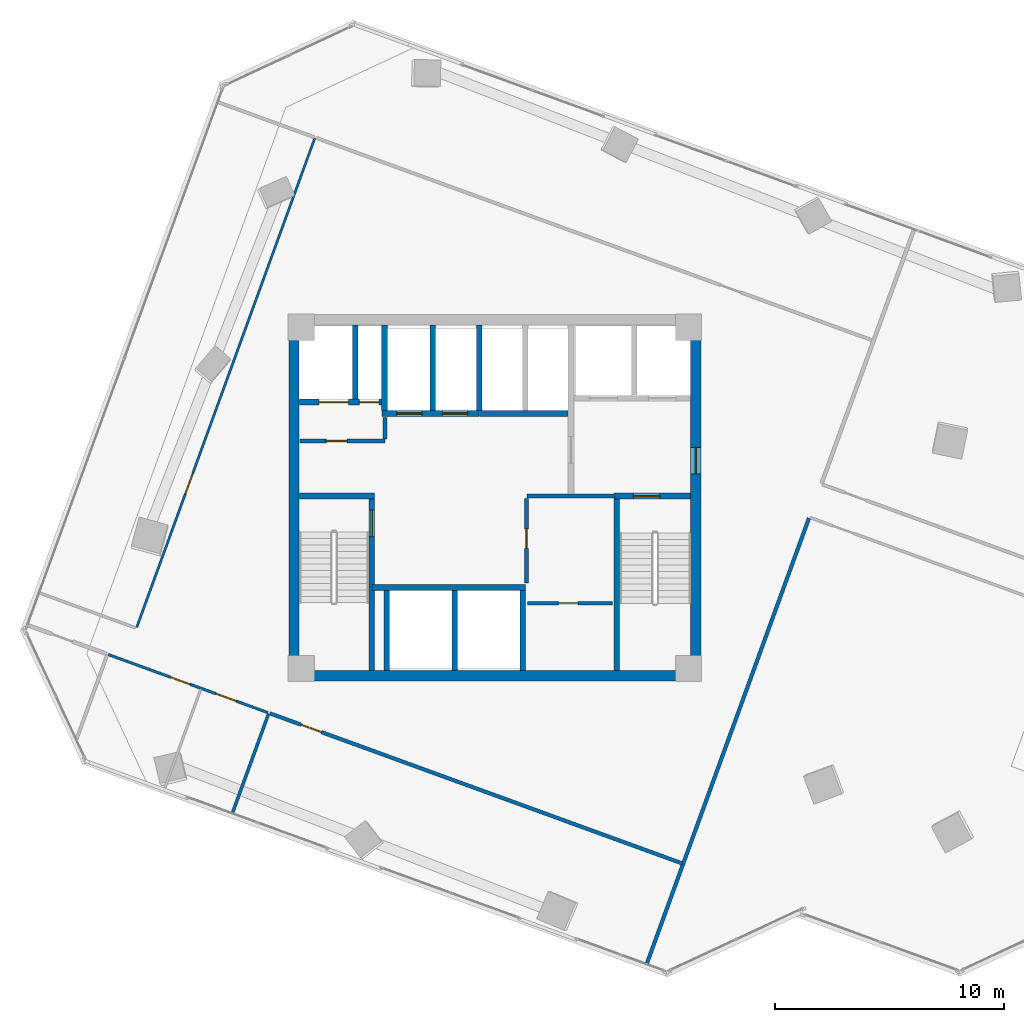
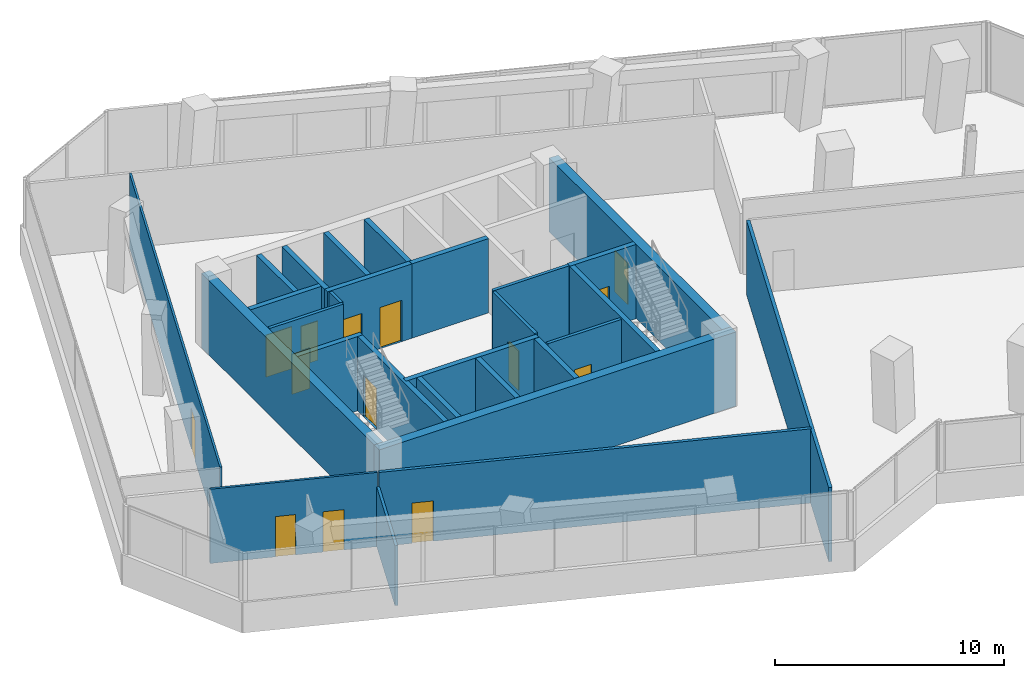
# One storey, part 16 of 21: 28 walls, 14 doors, 14 openings.
"""IFC4 building model written with IfcOpenShell, lengths in metres."""

from ifc_helpers import new_model, si_unit, direction, frame, frame_2d, origin, place, context, subcontext, project, spatial, rectangle, extrude, source, transform, mapped, material, layer, layer_set, type_object, element, fill, save


model = new_model("IFC4")

# Units and contexts
model_context = context("Model", 3, precision=1e-05, world=origin(), true_north=direction((0.0, 1.0)))
body_context = subcontext(model_context, "Body", "Model", "MODEL_VIEW")
ifc_project = project(units=[si_unit("LENGTHUNIT", "METRE"), si_unit("AREAUNIT", "SQUARE_METRE"), si_unit("VOLUMEUNIT", "CUBIC_METRE"), si_unit("PLANEANGLEUNIT", "RADIAN"), si_unit("MASSUNIT", "GRAM", prefix="KILO")], contexts=[model_context])

# Site, building, storey
site_placement = place(None, origin())
site = spatial("IfcSite", under=ifc_project, at=site_placement, CompositionType="ELEMENT")
building_placement = place(site_placement, origin())
building = spatial("IfcBuilding", under=site, at=building_placement, Name="Torre Montelarca", CompositionType="ELEMENT")
storey_placement = place(building_placement, frame((0.0, 0.0, 133.0)))
storey = spatial("IfcBuildingStorey", under=building, at=storey_placement, Name="L29", CompositionType="ELEMENT", Elevation=133.0)

# Wall, opening, door
ifc_material_1 = material(Name="Concrete C40/50", Category="concrete")
ifc_layer_1 = layer(ifc_material_1, 0.25, Name="Concrete C40/50", Category="concrete")
ifc_layer_set_1 = layer_set([ifc_layer_1], Name="Concrete C40/50")
wall_type_1 = type_object("IfcWallType", Name="CW-SHAFT-250", PredefinedType="SHEAR", material=ifc_layer_set_1)
wall_1_placement = place(storey_placement, frame((12.625, 24.4599609375, 0.0), z_axis=(0.0, 0.0, 1.0), x_axis=(0.0, 1.0, 0.0)))
wall_1 = element("IfcWall", 1, at=wall_1_placement, inside=storey, type_object=wall_type_1, Name="L29 Core Shear Wall SH-ST1-E", PredefinedType="SHEAR", context=body_context, shape_type="SweptSolid", body=[
    extrude(rectangle(XDim=7.489990234375, YDim=0.25, at=frame_2d((3.7451171875, 0.0))), origin(), (0.0, 0.0, 1.0), 3.9599609375),
])
opening_1_placement = place(wall_1_placement, frame((5.85009765625, 0.0, 0.0)))
opening_1 = element("IfcOpeningElement", 2, at=opening_1_placement, cuts=wall_1, Name="Opening FD-ST1", PredefinedType="OPENING", context=body_context, shape_type="SweptSolid", body=[
    extrude(rectangle(XDim=1.14990234375, YDim=2.199951171875, at=frame_2d((0.574951171875, 1.10009765625))), frame((0.0, 0.135009765625, 0.0), z_axis=(0.0, -1.0, 0.0), x_axis=(1.0, 0.0, 0.0)), (0.0, 0.0, 1.0), 0.27001953125),
])
ifc_material_2 = material(Name="Galvanized steel fire door", Category="steel")
door_type_1 = type_object("IfcDoorType", Name="DR-STAIR-115", OperationType="NOTDEFINED", PredefinedType="DOOR", material=ifc_material_2)
shared_shape_1 = source(origin(), body_context, "Body", "SweptSolid", [
    extrude(rectangle(XDim=1.14990234375, YDim=2.199951171875, at=frame_2d((0.574951171875, 1.10009765625))), frame((0.0, 0.02490234375, 0.0), z_axis=(0.0, -1.0, 0.0), x_axis=(1.0, 0.0, 0.0)), (0.0, 0.0, 1.0), 0.050048828125),
])
door_1_placement = place(opening_1_placement, origin())
door_1 = element("IfcDoor", 3, at=door_1_placement, inside=storey, type_object=door_type_1, Name="L29 Exit Stair ST1 Fire Door", OperationType="SINGLE_SWING_RIGHT", OverallHeight=2.199951171875, OverallWidth=1.14990234375, PredefinedType="DOOR", context=body_context, shape_type="MappedRepresentation", body=[
    mapped(shared_shape_1, transform((0.0, 0.0, 0.0), scale=1.0)),
])
fill(opening_1, door_1)

# Walls
wall_2_placement = place(storey_placement, frame((9.4599609375, 32.074951171875, 0.0), z_axis=(0.0, 0.0, 1.0), x_axis=(1.0, 0.0, 0.0)))
element("IfcWall", 4, at=wall_2_placement, inside=storey, type_object=wall_type_1, Name="L29 Core Shear Wall SH-ST1-N", PredefinedType="SHEAR", context=body_context, shape_type="SweptSolid", body=[
    extrude(rectangle(XDim=3.2900390625, YDim=0.25, at=frame_2d((1.64501953125, 0.0))), origin(), (0.0, 0.0, 1.0), 3.9599609375),
])
wall_3_placement = place(storey_placement, frame((23.31494140625, 24.4599609375, 0.0), z_axis=(0.0, 0.0, 1.0), x_axis=(0.0, 1.0, 0.0)))
element("IfcWall", 5, at=wall_3_placement, inside=storey, type_object=wall_type_1, Name="L29 Core Shear Wall SH-ST2-W", PredefinedType="SHEAR", context=body_context, shape_type="SweptSolid", body=[
    extrude(rectangle(XDim=7.489990234375, YDim=0.25, at=frame_2d((3.7451171875, 0.0))), origin(), (0.0, 0.0, 1.0), 3.9599609375),
])

# Wall, opening, door
wall_4_placement = place(storey_placement, frame((23.18994140625, 32.074951171875, 0.0), z_axis=(0.0, 0.0, 1.0), x_axis=(1.0, 0.0, 0.0)))
wall_4 = element("IfcWall", 6, at=wall_4_placement, inside=storey, type_object=wall_type_1, Name="L29 Core Shear Wall SH-ST2-N", PredefinedType="SHEAR", context=body_context, shape_type="SweptSolid", body=[
    extrude(rectangle(XDim=3.35009765625, YDim=0.25, at=frame_2d((1.675048828125, 0.0))), origin(), (0.0, 0.0, 1.0), 3.9599609375),
])
opening_2_placement = place(wall_4_placement, frame((0.85009765625, 0.0, 0.0)))
opening_2 = element("IfcOpeningElement", 7, at=opening_2_placement, cuts=wall_4, Name="Opening FD-ST1", PredefinedType="OPENING", context=body_context, shape_type="SweptSolid", body=[
    extrude(rectangle(XDim=1.14990234375, YDim=2.199951171875, at=frame_2d((0.574951171875, 1.10009765625))), frame((0.0, 0.135009765625, 0.0), z_axis=(0.0, -1.0, 0.0), x_axis=(1.0, 0.0, 0.0)), (0.0, 0.0, 1.0), 0.27001953125),
])
door_2_placement = place(opening_2_placement, origin())
door_2 = element("IfcDoor", 8, at=door_2_placement, inside=storey, type_object=door_type_1, Name="L29 Exit Stair ST2 Fire Door", OperationType="SINGLE_SWING_RIGHT", OverallHeight=2.199951171875, OverallWidth=1.14990234375, PredefinedType="DOOR", context=body_context, shape_type="MappedRepresentation", body=[
    mapped(shared_shape_1, transform((0.0, 0.0, 0.0), scale=1.0)),
])
fill(opening_2, door_2)

# Wall, openings, doors
wall_5_placement = place(storey_placement, frame((9.4599609375, 36.179931640625, 0.0), z_axis=(0.0, 0.0, 1.0), x_axis=(1.0, 0.0, 0.0)))
wall_5 = element("IfcWall", 9, at=wall_5_placement, inside=storey, type_object=wall_type_1, Name="L29 Core Shear Wall SH-SV1-S", PredefinedType="SHEAR", context=body_context, shape_type="SweptSolid", body=[
    extrude(rectangle(XDim=3.7900390625, YDim=0.25, at=frame_2d((1.89501953125, 0.0))), origin(), (0.0, 0.0, 1.0), 3.9599609375),
])
opening_3_placement = place(wall_5_placement, frame((2.6201171875, 0.0, 0.0)))
opening_3 = element("IfcOpeningElement", 10, at=opening_3_placement, cuts=wall_5, Name="Opening FD-085", PredefinedType="OPENING", context=body_context, shape_type="SweptSolid", body=[
    extrude(rectangle(XDim=0.85009765625, YDim=2.10009765625, at=frame_2d((0.425048828125, 1.050048828125))), frame((0.0, 0.135009765625, 0.0), z_axis=(0.0, -1.0, 0.0), x_axis=(1.0, 0.0, 0.0)), (0.0, 0.0, 1.0), 0.27001953125),
])
opening_4_placement = place(wall_5_placement, frame((0.85009765625, 0.0, 0.0)))
opening_4 = element("IfcOpeningElement", 11, at=opening_4_placement, cuts=wall_5, Name="Opening LD-130", PredefinedType="OPENING", context=body_context, shape_type="SweptSolid", body=[
    extrude(rectangle(XDim=1.300048828125, YDim=2.25, at=frame_2d((0.64990234375, 1.125))), frame((0.0, 0.135009765625, 0.0), z_axis=(0.0, -1.0, 0.0), x_axis=(1.0, 0.0, 0.0)), (0.0, 0.0, 1.0), 0.27001953125),
])
ifc_material_3 = material(Name="Steel riser access fire door", Category="steel")
door_type_2 = type_object("IfcDoorType", Name="DR-RISER-085", OperationType="NOTDEFINED", PredefinedType="DOOR", material=ifc_material_3)
shared_shape_2 = source(origin(), body_context, "Body", "SweptSolid", [
    extrude(rectangle(XDim=0.85009765625, YDim=2.10009765625, at=frame_2d((0.425048828125, 1.050048828125))), frame((0.0, 0.02490234375, 0.0), z_axis=(0.0, -1.0, 0.0), x_axis=(1.0, 0.0, 0.0)), (0.0, 0.0, 1.0), 0.050048828125),
])
door_3_placement = place(opening_3_placement, origin())
door_3 = element("IfcDoor", 12, at=door_3_placement, inside=storey, type_object=door_type_2, Name="L29 Electrical Riser Shaft Access Door", OperationType="SINGLE_SWING_RIGHT", OverallHeight=2.10009765625, OverallWidth=0.85009765625, PredefinedType="DOOR", context=body_context, shape_type="MappedRepresentation", body=[
    mapped(shared_shape_2, transform((0.0, 0.0, 0.0), scale=1.0)),
])
fill(opening_3, door_3)
ifc_material_4 = material(Name="Brushed stainless steel AISI 316", Category="steel")
door_type_3 = type_object("IfcDoorType", Name="DR-LIFT-130", OperationType="SLIDING_TO_LEFT", PredefinedType="DOOR", material=ifc_material_4)
shared_shape_3 = source(origin(), body_context, "Body", "SweptSolid", [
    extrude(rectangle(XDim=1.300048828125, YDim=2.25, at=frame_2d((0.64990234375, 1.125))), frame((0.0, 0.02490234375, 0.0), z_axis=(0.0, -1.0, 0.0), x_axis=(1.0, 0.0, 0.0)), (0.0, 0.0, 1.0), 0.050048828125),
])
door_4_placement = place(opening_4_placement, origin())
door_4 = element("IfcDoor", 13, at=door_4_placement, inside=storey, type_object=door_type_3, Name="L29 Lift Landing Sliding Door SV-1", OperationType="SLIDING_TO_LEFT", OverallHeight=2.25, OverallWidth=1.300048828125, PredefinedType="DOOR", context=body_context, shape_type="MappedRepresentation", body=[
    mapped(shared_shape_3, transform((0.0, 0.0, 0.0), scale=1.0)),
])
fill(opening_4, door_4)

# Walls
wall_6_placement = place(storey_placement, frame((11.89990234375, 36.31005859375, 0.0), z_axis=(0.0, 0.0, 1.0), x_axis=(0.0, 1.0, 0.0)))
element("IfcWall", 14, at=wall_6_placement, inside=storey, type_object=wall_type_1, Name="L29 Core Shear Wall SH-SV1-E", PredefinedType="SHEAR", context=body_context, shape_type="SweptSolid", body=[
    extrude(rectangle(XDim=3.22998046875, YDim=0.25, at=frame_2d((1.614990234375, 0.0))), origin(), (0.0, 0.0, 1.0), 3.9599609375),
])
wall_7_placement = place(storey_placement, frame((12.6298828125, 28.080078125, 0.0), z_axis=(0.0, 0.0, 1.0), x_axis=(1.0, 0.0, 0.0)))
element("IfcWall", 15, at=wall_7_placement, inside=storey, type_object=wall_type_1, Name="L29 Core Shear Wall SH-PLL-N", PredefinedType="SHEAR", context=body_context, shape_type="SweptSolid", body=[
    extrude(rectangle(XDim=6.710205078125, YDim=0.25, at=frame_2d((3.35498046875, 0.0))), origin(), (0.0, 0.0, 1.0), 3.9599609375),
])
for number, where, z_axis, x_axis, name in (
    (16, (13.280029296875, 24.4599609375, 0.0), (0.0, 0.0, 1.0), (0.0, 1.0, 0.0), "L29 Core Shear Wall SH-PLL-W"),
    (17, (16.25, 24.4599609375, 0.0), (0.0, 0.0, 1.0), (0.0, 1.0, 0.0), "L29 Core Shear Wall SH-PLL-M"),
    (18, (19.219970703125, 24.4599609375, 0.0), (0.0, 0.0, 1.0), (0.0, 1.0, 0.0), "L29 Core Shear Wall SH-PLL-E"),
):
    element("IfcWall", number, at=place(storey_placement, frame(where, z_axis=z_axis, x_axis=x_axis)), inside=storey, type_object=wall_type_1, Name=name, PredefinedType="SHEAR", context=body_context, shape_type="SweptSolid", body=[
        extrude(rectangle(XDim=3.489990234375, YDim=0.25, at=frame_2d((1.7451171875, 0.0))), origin(), (0.0, 0.0, 1.0), 3.9599609375),
    ])

# Wall, openings, doors
wall_8_placement = place(storey_placement, frame((13.06005859375, 35.679931640625, 0.0), z_axis=(0.0, 0.0, 1.0), x_axis=(1.0, 0.0, 0.0)))
wall_8 = element("IfcWall", 19, at=wall_8_placement, inside=storey, type_object=wall_type_1, Name="L29 Core Shear Wall SH-PLM-S", PredefinedType="SHEAR", context=body_context, shape_type="SweptSolid", body=[
    extrude(rectangle(XDim=4.25, YDim=0.25, at=frame_2d((2.125, 0.0))), origin(), (0.0, 0.0, 1.0), 3.9599609375),
])
opening_5_placement = place(wall_8_placement, frame((0.64990234375, 0.0, 0.0)))
opening_5 = element("IfcOpeningElement", 20, at=opening_5_placement, cuts=wall_8, Name="Opening LD-110", PredefinedType="OPENING", context=body_context, shape_type="SweptSolid", body=[
    extrude(rectangle(XDim=1.10009765625, YDim=2.199951171875, at=frame_2d((0.550048828125, 1.10009765625))), frame((0.0, 0.135009765625, 0.0), z_axis=(0.0, -1.0, 0.0), x_axis=(1.0, 0.0, 0.0)), (0.0, 0.0, 1.0), 0.27001953125),
])
opening_6_placement = place(wall_8_placement, frame((2.64990234375, 0.0, 0.0)))
opening_6 = element("IfcOpeningElement", 21, at=opening_6_placement, cuts=wall_8, Name="Opening LD-110", PredefinedType="OPENING", context=body_context, shape_type="SweptSolid", body=[
    extrude(rectangle(XDim=1.10009765625, YDim=2.199951171875, at=frame_2d((0.550048828125, 1.10009765625))), frame((0.0, 0.135009765625, 0.0), z_axis=(0.0, -1.0, 0.0), x_axis=(1.0, 0.0, 0.0)), (0.0, 0.0, 1.0), 0.27001953125),
])
door_type_4 = type_object("IfcDoorType", Name="DR-LIFT-110", OperationType="SLIDING_TO_LEFT", PredefinedType="DOOR", material=ifc_material_4)
shared_shape_4 = source(origin(), body_context, "Body", "SweptSolid", [
    extrude(rectangle(XDim=1.10009765625, YDim=2.199951171875, at=frame_2d((0.550048828125, 1.10009765625))), frame((0.0, 0.02490234375, 0.0), z_axis=(0.0, -1.0, 0.0), x_axis=(1.0, 0.0, 0.0)), (0.0, 0.0, 1.0), 0.050048828125),
])
door_5_placement = place(opening_5_placement, origin())
door_5 = element("IfcDoor", 22, at=door_5_placement, inside=storey, type_object=door_type_4, Name="L29 Lift Landing Sliding Door PL-M1", OperationType="SLIDING_TO_LEFT", OverallHeight=2.199951171875, OverallWidth=1.10009765625, PredefinedType="DOOR", context=body_context, shape_type="MappedRepresentation", body=[
    mapped(shared_shape_4, transform((0.0, 0.0, 0.0), scale=1.0)),
])
fill(opening_5, door_5)
door_6_placement = place(opening_6_placement, origin())
door_6 = element("IfcDoor", 23, at=door_6_placement, inside=storey, type_object=door_type_4, Name="L29 Lift Landing Sliding Door PL-M2", OperationType="SLIDING_TO_RIGHT", OverallHeight=2.199951171875, OverallWidth=1.10009765625, PredefinedType="DOOR", context=body_context, shape_type="MappedRepresentation", body=[
    mapped(shared_shape_4, transform((0.0, 0.0, 0.0), scale=1.0)),
])
fill(opening_6, door_6)

# Walls
for number, where, z_axis, x_axis, name in (
    (24, (13.179931640625, 35.81005859375, 0.0), (0.0, 0.0, 1.0), (0.0, 1.0, 0.0), "L29 Core Shear Wall SH-PLM-W"),
    (25, (15.280029296875, 35.81005859375, 0.0), (0.0, 0.0, 1.0), (0.0, 1.0, 0.0), "L29 Core Shear Wall SH-PLM-M"),
):
    element("IfcWall", number, at=place(storey_placement, frame(where, z_axis=z_axis, x_axis=x_axis)), inside=storey, type_object=wall_type_1, Name=name, PredefinedType="SHEAR", context=body_context, shape_type="SweptSolid", body=[
        extrude(rectangle(XDim=3.72998046875, YDim=0.25, at=frame_2d((1.864990234375, 0.0))), origin(), (0.0, 0.0, 1.0), 3.9599609375),
    ])
wall_9_placement = place(storey_placement, frame((17.320068359375, 35.679931640625, 0.0), z_axis=(0.0, 0.0, 1.0), x_axis=(1.0, 0.0, 0.0)))
element("IfcWall", 26, at=wall_9_placement, inside=storey, type_object=wall_type_1, Name="L29 Core Shear Wall SH-PLH-S", PredefinedType="SHEAR", context=body_context, shape_type="SweptSolid", body=[
    extrude(rectangle(XDim=3.869873046875, YDim=0.25, at=frame_2d((1.93505859375, 0.0))), origin(), (0.0, 0.0, 1.0), 3.9599609375),
])
wall_10_placement = place(storey_placement, frame((17.320068359375, 35.81005859375, 0.0), z_axis=(0.0, 0.0, 1.0), x_axis=(0.0, 1.0, 0.0)))
element("IfcWall", 27, at=wall_10_placement, inside=storey, type_object=wall_type_1, Name="L29 Core Shear Wall SH-PLH-W", PredefinedType="SHEAR", context=body_context, shape_type="SweptSolid", body=[
    extrude(rectangle(XDim=3.72998046875, YDim=0.25, at=frame_2d((1.864990234375, 0.0))), origin(), (0.0, 0.0, 1.0), 3.9599609375),
])
ifc_material_5 = material(Name="Concrete C55/67", Category="concrete")
ifc_layer_2 = layer(ifc_material_5, 0.449951171875, Name="Concrete C55/67", Category="concrete")
ifc_layer_set_2 = layer_set([ifc_layer_2], Name="Concrete C55/67")
wall_type_2 = type_object("IfcWallType", Name="CW-SHEAR-450", PredefinedType="SHEAR", material=ifc_layer_set_2)
wall_11_placement = place(storey_placement, frame((9.22509765625, 24.449951171875, 0.0), z_axis=(0.0, 0.0, 1.0), x_axis=(0.0, 1.0, 0.0)))
element("IfcWall", 28, at=wall_11_placement, inside=storey, type_object=wall_type_2, Name="L29 Core Shear Wall CW-W", PredefinedType="SHEAR", context=body_context, shape_type="SweptSolid", body=[
    extrude(rectangle(XDim=15.10009765625, YDim=0.449951171875, at=frame_2d((7.550048828125, 0.0))), origin(), (0.0, 0.0, 1.0), 3.9599609375),
])

# Wall, opening, door
wall_12_placement = place(storey_placement, frame((26.77490234375, 24.449951171875, 0.0), z_axis=(0.0, 0.0, 1.0), x_axis=(0.0, 1.0, 0.0)))
wall_12 = element("IfcWall", 29, at=wall_12_placement, inside=storey, type_object=wall_type_2, Name="L29 Core Shear Wall CW-E", PredefinedType="SHEAR", context=body_context, shape_type="SweptSolid", body=[
    extrude(rectangle(XDim=15.10009765625, YDim=0.449951171875, at=frame_2d((7.550048828125, 0.0))), origin(), (0.0, 0.0, 1.0), 3.9599609375),
])
opening_7_placement = place(wall_12_placement, frame((8.60009765625, 0.0, 0.0)))
opening_7 = element("IfcOpeningElement", 30, at=opening_7_placement, cuts=wall_12, Name="Opening FD-LB1", PredefinedType="OPENING", context=body_context, shape_type="SweptSolid", body=[
    extrude(rectangle(XDim=1.14990234375, YDim=2.199951171875, at=frame_2d((0.574951171875, 1.10009765625))), frame((0.0, 0.23486328125, 0.0), z_axis=(0.0, -1.0, 0.0), x_axis=(1.0, 0.0, 0.0)), (0.0, 0.0, 1.0), 0.469970703125),
])
ifc_material_6 = material(Name="Acoustic timber-veneered fire door", Category="wood")
door_type_5 = type_object("IfcDoorType", Name="DR-LOBBY-115", OperationType="NOTDEFINED", PredefinedType="DOOR", material=ifc_material_6)
shared_shape_5 = source(origin(), body_context, "Body", "SweptSolid", [
    extrude(rectangle(XDim=1.14990234375, YDim=2.199951171875, at=frame_2d((0.574951171875, 1.10009765625))), frame((0.0, 0.02490234375, 0.0), z_axis=(0.0, -1.0, 0.0), x_axis=(1.0, 0.0, 0.0)), (0.0, 0.0, 1.0), 0.050048828125),
])
door_7_placement = place(opening_7_placement, origin())
door_7 = element("IfcDoor", 31, at=door_7_placement, inside=storey, type_object=door_type_5, Name="L29 Firefighting Lift Lobby Corridor Fire Door", OperationType="SINGLE_SWING_RIGHT", OverallHeight=2.199951171875, OverallWidth=1.14990234375, PredefinedType="DOOR", context=body_context, shape_type="MappedRepresentation", body=[
    mapped(shared_shape_5, transform((0.0, 0.0, 0.0), scale=1.0)),
])
fill(opening_7, door_7)

# Wall
wall_13_placement = place(storey_placement, frame((9.0, 24.22509765625, 0.0), z_axis=(0.0, 0.0, 1.0), x_axis=(1.0, 0.0, 0.0)))
element("IfcWall", 32, at=wall_13_placement, inside=storey, type_object=wall_type_2, Name="L29 Core Shear Wall CW-S1", PredefinedType="SHEAR", context=body_context, shape_type="SweptSolid", body=[
    extrude(rectangle(XDim=18.0, YDim=0.449951171875, at=frame_2d((9.0, 0.0))), origin(), (0.0, 0.0, 1.0), 3.9599609375),
])

# Wall, opening, door
ifc_material_7 = material(Name="Gypsum plasterboard on steel stud", Category="steel")
ifc_layer_3 = layer(ifc_material_7, 0.159912109375, Name="Gypsum plasterboard on steel stud", Category="steel")
ifc_layer_set_3 = layer_set([ifc_layer_3], Name="Gypsum plasterboard on steel stud")
wall_type_3 = type_object("IfcWallType", Name="PW-FIRE-160", PredefinedType="PARTITIONING", material=ifc_layer_set_3)
wall_14_placement = place(storey_placement, frame((9.489990234375, 34.47998046875, 0.0), z_axis=(0.0, 0.0, 1.0), x_axis=(1.0, 0.0, 0.0)))
wall_14 = element("IfcWall", 33, at=wall_14_placement, inside=storey, type_object=wall_type_3, Name="L29 Interior Partition CW-L29-SVS", PredefinedType="PARTITIONING", context=body_context, shape_type="SweptSolid", body=[
    extrude(rectangle(XDim=3.699951171875, YDim=0.159912109375, at=frame_2d((1.85009765625, 0.0))), origin(), (0.0, 0.0, 1.0), 3.9599609375),
])
opening_8_placement = place(wall_14_placement, frame((1.14990234375, 0.0, 0.0)))
opening_8 = element("IfcOpeningElement", 34, at=opening_8_placement, cuts=wall_14, Name="Opening FD-090", PredefinedType="OPENING", context=body_context, shape_type="SweptSolid", body=[
    extrude(rectangle(XDim=0.89990234375, YDim=2.14990234375, at=frame_2d((0.449951171875, 1.074951171875))), frame((0.0, 0.08984375, 0.0), z_axis=(0.0, -1.0, 0.0), x_axis=(1.0, 0.0, 0.0)), (0.0, 0.0, 1.0), 0.179931640625),
])
ifc_material_8 = material(Name="Steel service fire door", Category="steel")
door_type_6 = type_object("IfcDoorType", Name="DR-FIRE-090", OperationType="NOTDEFINED", PredefinedType="DOOR", material=ifc_material_8)
shared_shape_6 = source(origin(), body_context, "Body", "SweptSolid", [
    extrude(rectangle(XDim=0.89990234375, YDim=2.14990234375, at=frame_2d((0.449951171875, 1.074951171875))), frame((0.0, 0.02490234375, 0.0), z_axis=(0.0, -1.0, 0.0), x_axis=(1.0, 0.0, 0.0)), (0.0, 0.0, 1.0), 0.050048828125),
])
door_8_placement = place(opening_8_placement, origin())
door_8 = element("IfcDoor", 35, at=door_8_placement, inside=storey, type_object=door_type_6, Name="L29 Interior Door 01", OperationType="SINGLE_SWING_RIGHT", OverallHeight=2.14990234375, OverallWidth=0.89990234375, PredefinedType="DOOR", context=body_context, shape_type="MappedRepresentation", body=[
    mapped(shared_shape_6, transform((0.0, 0.0, 0.0), scale=1.0)),
])
fill(opening_8, door_8)

# Walls
wall_15_placement = place(storey_placement, frame((13.199951171875, 34.570068359375, 0.0), z_axis=(0.0, 0.0, 1.0), x_axis=(0.0, 1.0, 0.0)))
element("IfcWall", 36, at=wall_15_placement, inside=storey, type_object=wall_type_3, Name="L29 Interior Partition CW-L29-SVE", PredefinedType="PARTITIONING", context=body_context, shape_type="SweptSolid", body=[
    extrude(rectangle(XDim=0.93994140625, YDim=0.159912109375, at=frame_2d((0.469970703125, 0.0))), origin(), (0.0, 0.0, 1.0), 3.9599609375),
])
wall_16_placement = place(storey_placement, frame((19.389892578125, 32.080078125, 0.0), z_axis=(0.0, 0.0, 1.0), x_axis=(1.0, 0.0, 0.0)))
element("IfcWall", 37, at=wall_16_placement, inside=storey, type_object=wall_type_3, Name="L29 Interior Partition CW-L29-SEN", PredefinedType="PARTITIONING", context=body_context, shape_type="SweptSolid", body=[
    extrude(rectangle(XDim=3.820068359375, YDim=0.159912109375, at=frame_2d((1.91015625, 0.0))), origin(), (0.0, 0.0, 1.0), 3.9599609375),
])

# Wall, opening, door
wall_17_placement = place(storey_placement, frame((19.3798828125, 28.2900390625, 0.0), z_axis=(0.0, 0.0, 1.0), x_axis=(0.0, 1.0, 0.0)))
wall_17 = element("IfcWall", 38, at=wall_17_placement, inside=storey, type_object=wall_type_3, Name="L29 Interior Partition CW-L29-SEW", PredefinedType="PARTITIONING", context=body_context, shape_type="SweptSolid", body=[
    extrude(rectangle(XDim=3.669921875, YDim=0.159912109375, at=frame_2d((1.8349609375, 0.0))), origin(), (0.0, 0.0, 1.0), 3.9599609375),
])
opening_9_placement = place(wall_17_placement, frame((1.5, 0.0, 0.0)))
opening_9 = element("IfcOpeningElement", 39, at=opening_9_placement, cuts=wall_17, Name="Opening FD-085", PredefinedType="OPENING", context=body_context, shape_type="SweptSolid", body=[
    extrude(rectangle(XDim=0.85009765625, YDim=2.10009765625, at=frame_2d((0.425048828125, 1.050048828125))), frame((0.0, 0.08984375, 0.0), z_axis=(0.0, -1.0, 0.0), x_axis=(1.0, 0.0, 0.0)), (0.0, 0.0, 1.0), 0.179931640625),
])
door_9_placement = place(opening_9_placement, origin())
door_9 = element("IfcDoor", 40, at=door_9_placement, inside=storey, type_object=door_type_2, Name="L29 Interior Door 03", OperationType="SINGLE_SWING_RIGHT", OverallHeight=2.10009765625, OverallWidth=0.85009765625, PredefinedType="DOOR", context=body_context, shape_type="MappedRepresentation", body=[
    mapped(shared_shape_2, transform((0.0, 0.0, 0.0), scale=1.0)),
])
fill(opening_9, door_9)

wall_18_placement = place(storey_placement, frame((19.419921875, 27.39990234375, 0.0), z_axis=(0.0, 0.0, 1.0), x_axis=(1.0, 0.0, 0.0)))
wall_18 = element("IfcWall", 41, at=wall_18_placement, inside=storey, type_object=wall_type_3, Name="L29 Interior Partition CW-L29-SEM1", PredefinedType="PARTITIONING", context=body_context, shape_type="SweptSolid", body=[
    extrude(rectangle(XDim=3.719970703125, YDim=0.159912109375, at=frame_2d((1.85986328125, 0.0))), origin(), (0.0, 0.0, 1.0), 3.9599609375),
])
opening_10_placement = place(wall_18_placement, frame((1.35009765625, 0.0, 0.0)))
opening_10 = element("IfcOpeningElement", 42, at=opening_10_placement, cuts=wall_18, Name="Opening FD-085", PredefinedType="OPENING", context=body_context, shape_type="SweptSolid", body=[
    extrude(rectangle(XDim=0.85009765625, YDim=2.10009765625, at=frame_2d((0.425048828125, 1.050048828125))), frame((0.0, 0.08984375, 0.0), z_axis=(0.0, -1.0, 0.0), x_axis=(1.0, 0.0, 0.0)), (0.0, 0.0, 1.0), 0.179931640625),
])
door_10_placement = place(opening_10_placement, origin())
door_10 = element("IfcDoor", 43, at=door_10_placement, inside=storey, type_object=door_type_2, Name="L29 Interior Door 02", OperationType="SINGLE_SWING_LEFT", OverallHeight=2.10009765625, OverallWidth=0.85009765625, PredefinedType="DOOR", context=body_context, shape_type="MappedRepresentation", body=[
    mapped(shared_shape_2, transform((0.0, 0.0, 0.0), scale=1.0)),
])
fill(opening_10, door_10)

wall_19_placement = place(storey_placement, frame((8.16845703125, 22.59228515625, 0.0), z_axis=(0.0, 0.0, 1.0), x_axis=(0.939694846349, -0.342014028579, 0.0)))
wall_19 = element("IfcWall", 44, at=wall_19_placement, inside=storey, type_object=wall_type_3, Name="L29 Interior Partition W-L29-SOCCN", PredefinedType="PARTITIONING", context=body_context, shape_type="SweptSolid", body=[
    extrude(rectangle(XDim=19.169921875, YDim=0.159912109375, at=frame_2d((9.5849609375, 0.0))), origin(), (0.0, 0.0, 1.0), 3.9599609375),
])
opening_11_placement = place(wall_19_placement, frame((1.449951171875, 0.0, 0.0)))
opening_11 = element("IfcOpeningElement", 45, at=opening_11_placement, cuts=wall_19, Name="Opening FD-095", PredefinedType="OPENING", context=body_context, shape_type="SweptSolid", body=[
    extrude(rectangle(XDim=0.949951171875, YDim=2.14990234375, at=frame_2d((0.47509765625, 1.074951171875))), frame((0.0, 0.08984375, 0.0), z_axis=(0.0, -1.0, 0.0), x_axis=(1.0, 0.0, 0.0)), (0.0, 0.0, 1.0), 0.179931640625),
])
ifc_material_9 = material(Name="Timber fire-rated room door", Category="wood")
door_type_7 = type_object("IfcDoorType", Name="DR-FIRE-095", OperationType="NOTDEFINED", PredefinedType="DOOR", material=ifc_material_9)
shared_shape_7 = source(origin(), body_context, "Body", "SweptSolid", [
    extrude(rectangle(XDim=0.949951171875, YDim=2.14990234375, at=frame_2d((0.47509765625, 1.074951171875))), frame((0.0, 0.02490234375, 0.0), z_axis=(0.0, -1.0, 0.0), x_axis=(1.0, 0.0, 0.0)), (0.0, 0.0, 1.0), 0.050048828125),
])
door_11_placement = place(opening_11_placement, origin())
door_11 = element("IfcDoor", 46, at=door_11_placement, inside=storey, type_object=door_type_7, Name="L29 Interior Door 07", OperationType="SINGLE_SWING_RIGHT", OverallHeight=2.14990234375, OverallWidth=0.949951171875, PredefinedType="DOOR", context=body_context, shape_type="MappedRepresentation", body=[
    mapped(shared_shape_7, transform((0.0, 0.0, 0.0), scale=1.0)),
])
fill(opening_11, door_11)

# Wall
wall_20_placement = place(storey_placement, frame((24.639892578125, 11.680908203125, 0.0), z_axis=(0.0, 0.0, 1.0), x_axis=(0.342014151498, 0.939694801611, 0.0)))
element("IfcWall", 47, at=wall_20_placement, inside=storey, type_object=wall_type_3, Name="L29 Interior Partition W-L29-ECS", PredefinedType="PARTITIONING", context=body_context, shape_type="SweptSolid", body=[
    extrude(rectangle(XDim=20.6796875, YDim=0.159912109375, at=frame_2d((10.33984375, 0.0))), origin(), (0.0, 0.0, 1.0), 3.9599609375),
])

# Wall, opening, door
ifc_material_10 = material(Name="Acoustic laminated glass partition", Category="glass")
ifc_layer_4 = layer(ifc_material_10, 0.10009765625, Name="Acoustic laminated glass partition", Category="glass")
ifc_layer_set_4 = layer_set([ifc_layer_4], Name="Acoustic laminated glass partition")
wall_type_4 = type_object("IfcWallType", Name="PW-GLAZ-100", PredefinedType="PARTITIONING", material=ifc_layer_set_4)
wall_21_placement = place(storey_placement, frame((2.361572265625, 26.3447265625, 0.0), z_axis=(0.0, 0.0, 1.0), x_axis=(0.342021727767, 0.939692044095, 0.0)))
wall_21 = element("IfcWall", 48, at=wall_21_placement, inside=storey, type_object=wall_type_4, Name="L29 Interior Partition W-L29-WWGE", PredefinedType="PARTITIONING", context=body_context, shape_type="SweptSolid", body=[
    extrude(rectangle(XDim=22.719970703125, YDim=0.10009765625, at=frame_2d((11.35986328125, 0.0))), origin(), (0.0, 0.0, 1.0), 3.9599609375),
])
opening_12_placement = place(wall_21_placement, frame((6.199951171875, 0.0, 0.0)))
opening_12 = element("IfcOpeningElement", 49, at=opening_12_placement, cuts=wall_21, Name="Opening ID-095", PredefinedType="OPENING", context=body_context, shape_type="SweptSolid", body=[
    extrude(rectangle(XDim=0.949951171875, YDim=2.14990234375, at=frame_2d((0.47509765625, 1.074951171875))), frame((0.0, 0.06005859375, 0.0), z_axis=(0.0, -1.0, 0.0), x_axis=(1.0, 0.0, 0.0)), (0.0, 0.0, 1.0), 0.1201171875),
])
ifc_material_11 = material(Name="Hardwood acoustic timber veneer", Category="wood")
door_type_8 = type_object("IfcDoorType", Name="DR-INT-095", OperationType="NOTDEFINED", PredefinedType="DOOR", material=ifc_material_11)
shared_shape_8 = source(origin(), body_context, "Body", "SweptSolid", [
    extrude(rectangle(XDim=0.949951171875, YDim=2.14990234375, at=frame_2d((0.47509765625, 1.074951171875))), frame((0.0, 0.02490234375, 0.0), z_axis=(0.0, -1.0, 0.0), x_axis=(1.0, 0.0, 0.0)), (0.0, 0.0, 1.0), 0.050048828125),
])
door_12_placement = place(opening_12_placement, origin())
door_12 = element("IfcDoor", 50, at=door_12_placement, inside=storey, type_object=door_type_8, Name="L29 Interior Door 09", OperationType="SINGLE_SWING_LEFT", OverallHeight=2.14990234375, OverallWidth=0.949951171875, PredefinedType="DOOR", context=body_context, shape_type="MappedRepresentation", body=[
    mapped(shared_shape_8, transform((0.0, 0.0, 0.0), scale=1.0)),
])
fill(opening_12, door_12)

# Wall, openings, doors
ifc_layer_5 = layer(ifc_material_7, 0.114990234375, Name="Gypsum plasterboard on steel stud", Category="steel")
ifc_layer_set_5 = layer_set([ifc_layer_5], Name="Gypsum plasterboard on steel stud")
wall_type_5 = type_object("IfcWallType", Name="PW-PART-115", PredefinedType="PARTITIONING", material=ifc_layer_set_5)
wall_22_placement = place(storey_placement, frame((1.12060546875, 25.157470703125, 0.0), z_axis=(0.0, 0.0, 1.0), x_axis=(0.939692513883, -0.342020437038, 0.0)))
wall_22 = element("IfcWall", 51, at=wall_22_placement, inside=storey, type_object=wall_type_5, Name="L29 Interior Partition W-L29-WCN", PredefinedType="PARTITIONING", context=body_context, shape_type="SweptSolid", body=[
    extrude(rectangle(XDim=7.420166015625, YDim=0.114990234375, at=frame_2d((3.7099609375, 0.0))), origin(), (0.0, 0.0, 1.0), 3.9599609375),
])
opening_13_placement = place(wall_22_placement, frame((2.89990234375, 0.0, 0.0)))
opening_13 = element("IfcOpeningElement", 52, at=opening_13_placement, cuts=wall_22, Name="Opening ID-090", PredefinedType="OPENING", context=body_context, shape_type="SweptSolid", body=[
    extrude(rectangle(XDim=0.89990234375, YDim=2.14990234375, at=frame_2d((0.449951171875, 1.074951171875))), frame((0.0, 0.0673828125, 0.0), z_axis=(0.0, -1.0, 0.0), x_axis=(1.0, 0.0, 0.0)), (0.0, 0.0, 1.0), 0.135009765625),
])
opening_14_placement = place(wall_22_placement, frame((5.0, 0.0, 0.0)))
opening_14 = element("IfcOpeningElement", 53, at=opening_14_placement, cuts=wall_22, Name="Opening ID-095", PredefinedType="OPENING", context=body_context, shape_type="SweptSolid", body=[
    extrude(rectangle(XDim=0.949951171875, YDim=2.14990234375, at=frame_2d((0.47509765625, 1.074951171875))), frame((0.0, 0.0673828125, 0.0), z_axis=(0.0, -1.0, 0.0), x_axis=(1.0, 0.0, 0.0)), (0.0, 0.0, 1.0), 0.135009765625),
])
door_type_9 = type_object("IfcDoorType", Name="DR-INT-090", OperationType="NOTDEFINED", PredefinedType="DOOR", material=ifc_material_11)
shared_shape_9 = source(origin(), body_context, "Body", "SweptSolid", [
    extrude(rectangle(XDim=0.89990234375, YDim=2.14990234375, at=frame_2d((0.449951171875, 1.074951171875))), frame((0.0, 0.02490234375, 0.0), z_axis=(0.0, -1.0, 0.0), x_axis=(1.0, 0.0, 0.0)), (0.0, 0.0, 1.0), 0.050048828125),
])
door_13_placement = place(opening_13_placement, origin())
door_13 = element("IfcDoor", 54, at=door_13_placement, inside=storey, type_object=door_type_9, Name="L29 Interior Door 05", OperationType="SINGLE_SWING_LEFT", OverallHeight=2.14990234375, OverallWidth=0.89990234375, PredefinedType="DOOR", context=body_context, shape_type="MappedRepresentation", body=[
    mapped(shared_shape_9, transform((0.0, 0.0, 0.0), scale=1.0)),
])
fill(opening_13, door_13)
door_14_placement = place(opening_14_placement, origin())
door_14 = element("IfcDoor", 55, at=door_14_placement, inside=storey, type_object=door_type_8, Name="L29 Interior Door 06", OperationType="SINGLE_SWING_RIGHT", OverallHeight=2.14990234375, OverallWidth=0.949951171875, PredefinedType="DOOR", context=body_context, shape_type="MappedRepresentation", body=[
    mapped(shared_shape_8, transform((0.0, 0.0, 0.0), scale=1.0)),
])
fill(opening_14, door_14)

# Wall
ifc_layer_6 = layer(ifc_material_7, 0.135009765625, Name="Gypsum plasterboard on steel stud", Category="steel")
ifc_layer_set_6 = layer_set([ifc_layer_6], Name="Gypsum plasterboard on steel stud")
wall_type_6 = type_object("IfcWallType", Name="PW-PART-135", PredefinedType="PARTITIONING", material=ifc_layer_set_6)
wall_23_placement = place(storey_placement, frame((6.55078125, 18.2646484375, 0.0), z_axis=(0.0, 0.0, 1.0), x_axis=(0.342016975922, 0.939693773621, 0.0)))
element("IfcWall", 56, at=wall_23_placement, inside=storey, type_object=wall_type_6, Name="L29 Interior Partition W-L29-SWCDIV", PredefinedType="PARTITIONING", context=body_context, shape_type="SweptSolid", body=[
    extrude(rectangle(XDim=4.579833984375, YDim=0.135009765625, at=frame_2d((2.2900390625, 0.0))), origin(), (0.0, 0.0, 1.0), 3.195068359375),
])

save(model, "model.ifc")
